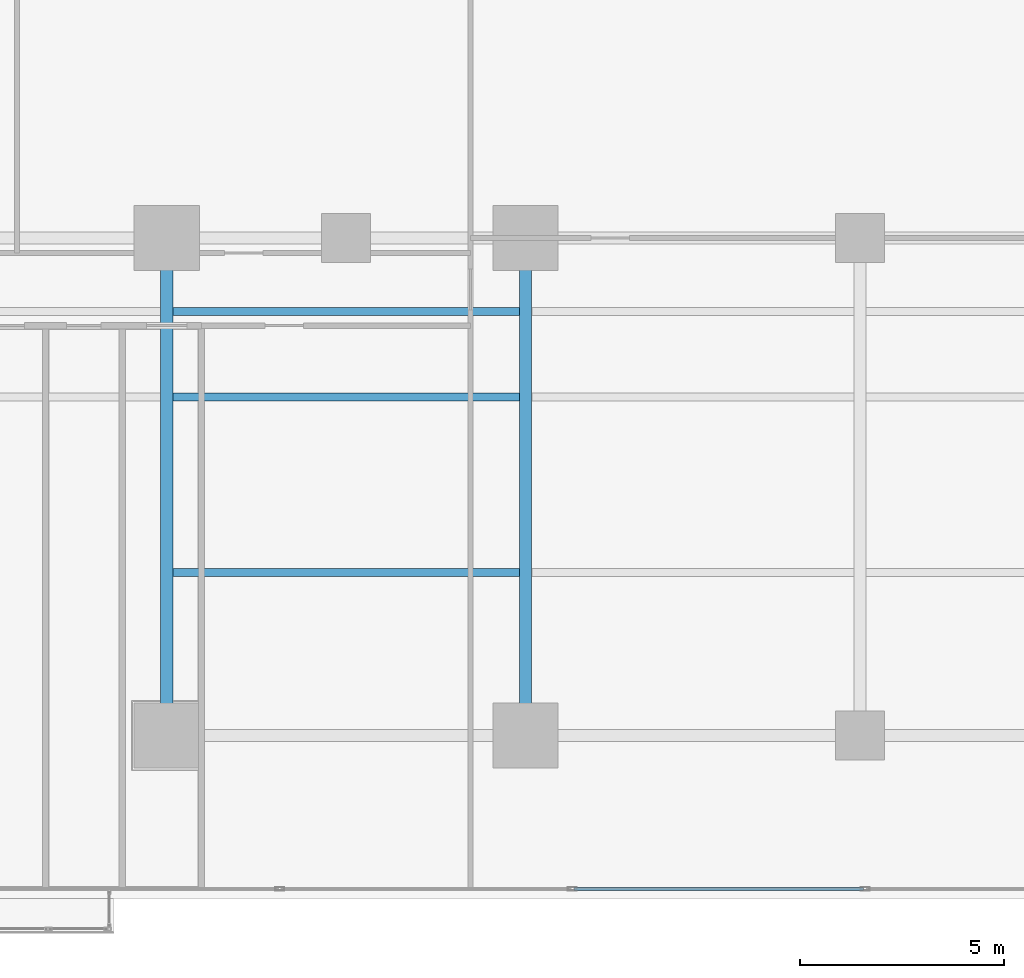
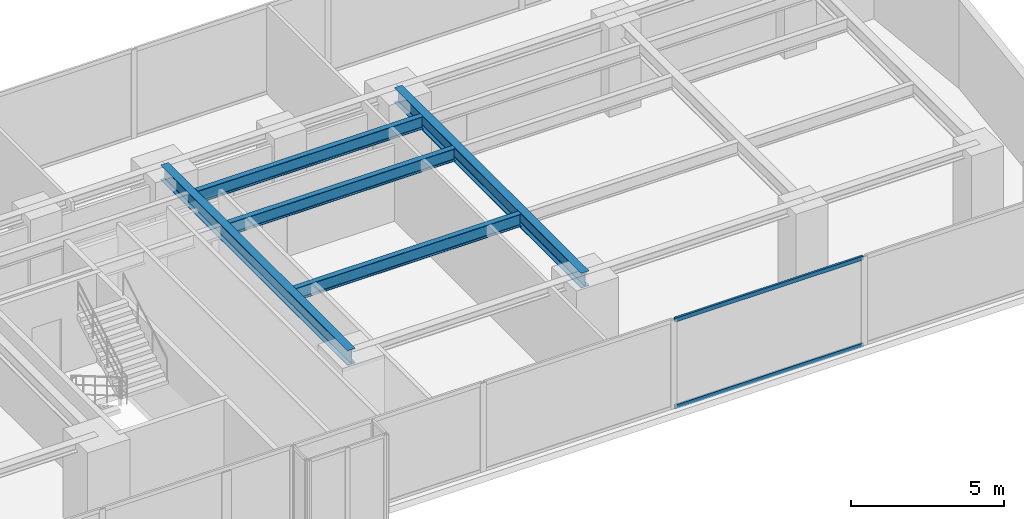
# One storey, part 10 of 29: 5 beams, 2 members, 1 element without a shape of its own.
"""IFC4 building model written with IfcOpenShell, lengths in metres."""

from ifc_helpers import new_model, si_unit, direction, frame, origin, origin_with_axes, origin_2d, place, context, subcontext, project, spatial, hollow_rectangle, i_section, extrude, source, transform, mapped, material, layer, layer_set, material_profile, profile_set, type_object, element, aggregate, save


model = new_model("IFC4")

# Units and contexts
model_context = context("Model", 3, precision=1e-05, world=origin(), true_north=direction((0.0, 1.0)))
body_context = subcontext(model_context, "Body", "Model", "MODEL_VIEW")
ifc_project = project(units=[si_unit("LENGTHUNIT", "METRE"), si_unit("AREAUNIT", "SQUARE_METRE"), si_unit("VOLUMEUNIT", "CUBIC_METRE"), si_unit("PLANEANGLEUNIT", "RADIAN"), si_unit("MASSUNIT", "GRAM", prefix="KILO")], contexts=[model_context])

# Site, building, storey
site_placement = place(None, origin())
site = spatial("IfcSite", under=ifc_project, at=site_placement, CompositionType="ELEMENT")
building_placement = place(site_placement, origin())
building = spatial("IfcBuilding", under=site, at=building_placement, Name="Kolvaren Waterfront Exchange", CompositionType="ELEMENT")
storey_placement = place(building_placement, frame((0.0, 0.0, 37.199951171875)))
storey = spatial("IfcBuildingStorey", under=building, at=storey_placement, Name="L09", CompositionType="ELEMENT", Elevation=37.199951171875)

# Beams
ifc_material_1 = material(Name="Steel S355", Category="steel")
ifc_material_profile_1 = material_profile(ifc_material_1, i_section(OverallWidth=0.300048828125, OverallDepth=0.60009765625, WebThickness=0.015380859375, FlangeThickness=0.030029296875, FilletRadius=0.027099609375, at=origin_2d()), Name="HEB600")
ifc_profile_set_1 = profile_set([ifc_material_profile_1], Name="Steel S355")
beam_type_1 = type_object("IfcBeamType", Name="STR-BM-HEB600", PredefinedType="BEAM", material=ifc_profile_set_1)
for number, where, z_axis, x_axis, name in (
    (1, (36.800048828125, 5.199951171875, 3.239990234375), (0.0, 1.0, 0.0), (-1.0, 0.0, 0.0), "L09 east-arm transverse girder X36"),
    (2, (45.60009765625, 5.199951171875, 3.239990234375), (0.0, 1.0, 0.0), (-1.0, 0.0, 0.0), "L09 east-arm transverse girder X45"),
):
    element("IfcBeam", number, at=place(storey_placement, frame(where, z_axis=z_axis, x_axis=x_axis)), inside=storey, type_object=beam_type_1, Name=name, PredefinedType="BEAM", context=body_context, shape_type="SweptSolid", body=[
        extrude(i_section(OverallWidth=0.300048828125, OverallDepth=0.60009765625, WebThickness=0.015380859375, FlangeThickness=0.030029296875, FilletRadius=0.027099609375, at=origin_2d()), origin(), (0.0, 0.0, 1.0), 12.199951171875),
    ])
ifc_material_profile_2 = material_profile(ifc_material_1, i_section(OverallWidth=0.199951171875, OverallDepth=0.5, WebThickness=0.01025390625, FlangeThickness=0.01611328125, FilletRadius=0.02099609375, at=origin_2d()), Name="IPE500")
ifc_profile_set_2 = profile_set([ifc_material_profile_2], Name="Steel S355")
beam_type_2 = type_object("IfcBeamType", Name="STR-BM-IPE500", PredefinedType="JOIST", material=ifc_profile_set_2)
for number, where, z_axis, x_axis, name in (
    (3, (36.951904296875, 13.5, 3.2900390625), (1.0, 0.0, 0.0), (0.0, 1.0, 0.0), "L09 east-arm composite joist 3A"),
    (4, (36.951904296875, 15.60009765625, 3.2900390625), (1.0, 0.0, 0.0), (0.0, 1.0, 0.0), "L09 east-arm composite joist 3C"),
    (5, (36.951904296875, 9.199951171875, 3.2900390625), (1.0, 0.0, 0.0), (0.0, 1.0, 0.0), "L09 east-arm composite joist 3B"),
):
    element("IfcBeam", number, at=place(storey_placement, frame(where, z_axis=z_axis, x_axis=x_axis)), inside=storey, type_object=beam_type_2, Name=name, PredefinedType="JOIST", context=body_context, shape_type="SweptSolid", body=[
        extrude(i_section(OverallWidth=0.199951171875, OverallDepth=0.5, WebThickness=0.01025390625, FlangeThickness=0.01611328125, FilletRadius=0.02099609375, at=origin_2d()), origin(), (0.0, 0.0, 1.0), 8.49609375),
    ])

# Curtain wall, members
ifc_material_2 = material(Name="Anodised bronze aluminium 6063-T6", Category="aluminium")
ifc_layer = layer(ifc_material_2, 0.219970703125, Name="Anodised bronze aluminium 6063-T6")
ifc_layer_set = layer_set([ifc_layer], Name="Anodised bronze aluminium 6063-T6")
curtain_wall_type = type_object("IfcCurtainWallType", Name="ARC-CW-SYS1", PredefinedType="USERDEFINED", material=ifc_layer_set)
curtain_wall_placement = place(storey_placement, origin())
curtain_wall = element("IfcCurtainWall", 6, at=curtain_wall_placement, inside=storey, type_object=curtain_wall_type, Name="L09 stick curtain wall CW1 (CW-L09-S)", ObjectType="STICK CURTAIN WALL", PredefinedType="USERDEFINED")
ifc_material_3 = material(Name="Anodised aluminium 6063-T6", Category="aluminium")
ifc_material_profile_3 = material_profile(ifc_material_3, hollow_rectangle(XDim=0.074951171875, YDim=0.159912109375, WallThickness=0.00439453125, at=origin_2d()), Name="ALU-TRN-160x75x4.5")
ifc_profile_set_3 = profile_set([ifc_material_profile_3], Name="Anodised aluminium 6063-T6")
member_type = type_object("IfcMemberType", Name="ARC-CWT-160", PredefinedType="USERDEFINED", material=ifc_profile_set_3)
shared_shape = source(origin_with_axes(), body_context, "Body", "SweptSolid", [
    extrude(hollow_rectangle(XDim=0.074951171875, YDim=0.159912109375, WallThickness=0.00439453125, at=origin_2d()), origin(), (0.0, 0.0, 1.0), 7.094970703125),
])
member_1_placement = place(storey_placement, frame((46.7900390625, 1.43994140625, 0.03759765625), z_axis=(1.0, 0.0, 0.0), x_axis=(0.0, 1.0, 0.0)))
member_1 = element("IfcMember", 7, at=member_1_placement, type_object=member_type, Name="CW1 transom 7.1", ObjectType="TRANSOM", PredefinedType="USERDEFINED", context=body_context, shape_type="MappedRepresentation", body=[
    mapped(shared_shape, transform((0.0, 0.0, 0.0), x_axis=(1.0, 0.0, 0.0), y_axis=(0.0, 1.0, 0.0), z_axis=(0.0, 0.0, 1.0), scale=1.0)),
])
member_2_placement = place(storey_placement, frame((46.7900390625, 1.43994140625, 3.50244140625), z_axis=(1.0, 0.0, 0.0), x_axis=(0.0, 1.0, 0.0)))
member_2 = element("IfcMember", 8, at=member_2_placement, type_object=member_type, Name="CW1 transom 7.2", ObjectType="TRANSOM", PredefinedType="USERDEFINED", context=body_context, shape_type="MappedRepresentation", body=[
    mapped(shared_shape, transform((0.0, 0.0, 0.0), x_axis=(1.0, 0.0, 0.0), y_axis=(0.0, 1.0, 0.0), z_axis=(0.0, 0.0, 1.0), scale=1.0)),
])
aggregate(curtain_wall, [member_1, member_2])

save(model, "model.ifc")
